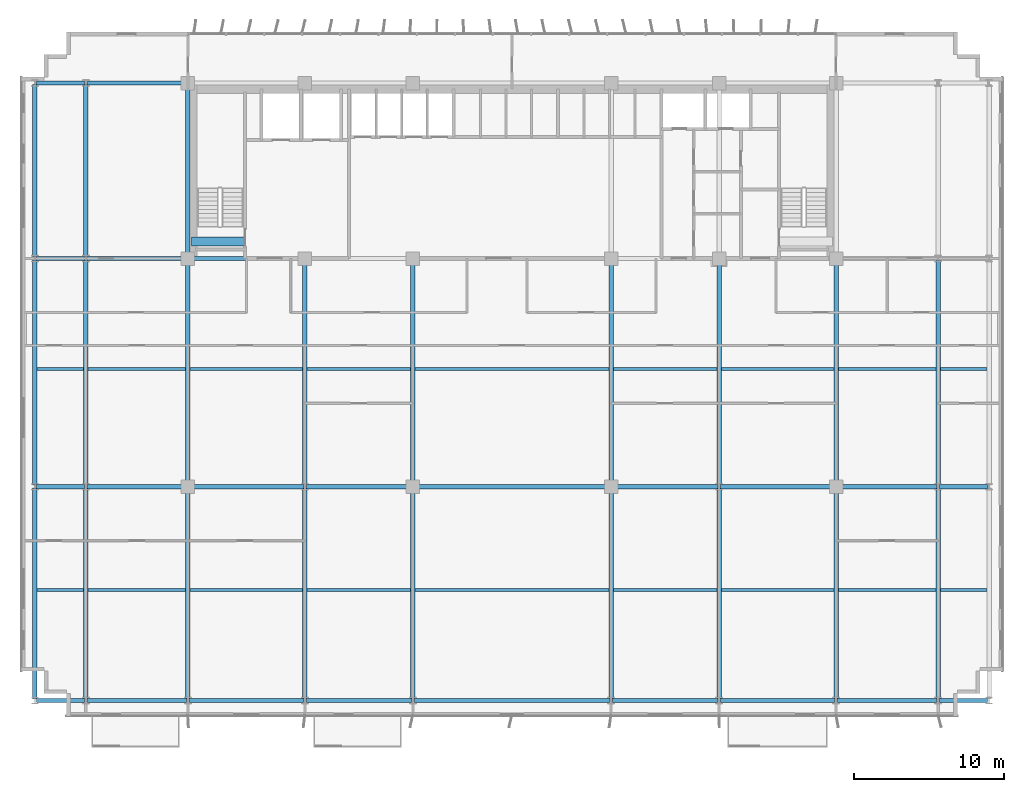
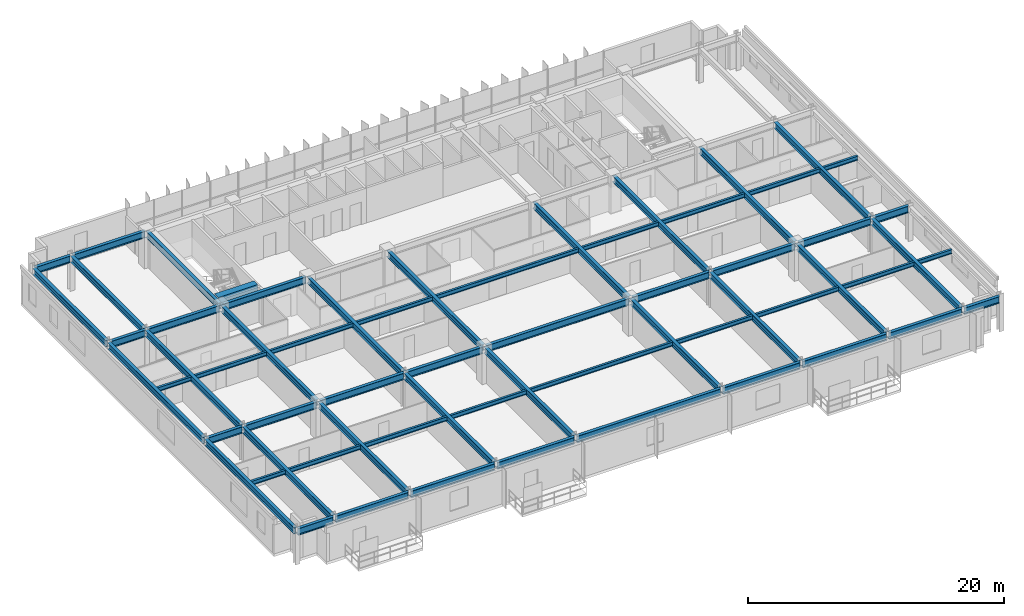
# One storey, part 4 of 21: 63 beams.
"""IFC4 building model written with IfcOpenShell, lengths in metres."""

from ifc_helpers import new_model, si_unit, direction, frame, origin, origin_2d, place, context, subcontext, project, spatial, rectangle, i_section, extrude, source, transform, mapped, material, material_profile, profile_set, type_object, element, save


model = new_model("IFC4")

# Units and contexts
model_context = context("Model", 3, precision=1e-05, world=origin(), true_north=direction((0.0, 1.0)))
body_context = subcontext(model_context, "Body", "Model", "MODEL_VIEW")
ifc_project = project(units=[si_unit("LENGTHUNIT", "METRE"), si_unit("AREAUNIT", "SQUARE_METRE"), si_unit("VOLUMEUNIT", "CUBIC_METRE"), si_unit("PLANEANGLEUNIT", "RADIAN"), si_unit("MASSUNIT", "GRAM", prefix="KILO")], contexts=[model_context])

# Site, building, storey
site_placement = place(None, origin())
site = spatial("IfcSite", under=ifc_project, at=site_placement, CompositionType="ELEMENT")
building_placement = place(site_placement, origin())
building = spatial("IfcBuilding", under=site, at=building_placement, Name="Trelvane Seafront Commons", CompositionType="ELEMENT")
storey_placement = place(building_placement, frame((0.0, 0.0, 34.300048828125)))
storey = spatial("IfcBuildingStorey", under=building, at=storey_placement, Name="L08", CompositionType="ELEMENT", Elevation=34.300048828125)

# Beams
ifc_material_1 = material(Name="Concrete C60/75", Category="concrete")
ifc_material_profile_1 = material_profile(ifc_material_1, rectangle(XDim=0.60009765625, YDim=0.89990234375, at=origin_2d()), Name="RC-600x900")
ifc_profile_set_1 = profile_set([ifc_material_profile_1], Name="Concrete C60/75")
beam_type_1 = type_object("IfcBeamType", Name="STR-LNT-RC600x900", PredefinedType="LINTEL", material=ifc_profile_set_1)
shared_shape_1 = source(origin(), body_context, "Body", "SweptSolid", [
    extrude(rectangle(XDim=0.60009765625, YDim=0.89990234375, at=origin_2d()), origin(), (0.0, 0.0, 1.0), 3.5498046875),
])
beam_1_placement = place(storey_placement, frame((15.85009765625, 34.550048828125, 2.889892578125), z_axis=(1.0, 0.0, 0.0), x_axis=(0.0, 1.0, 0.0)))
element("IfcBeam", 1, at=beam_1_placement, inside=storey, type_object=beam_type_1, Name="L08 Core Coupling Lintel Beam CB-85", PredefinedType="LINTEL", context=body_context, shape_type="MappedRepresentation", body=[
    mapped(shared_shape_1, transform((0.0, 0.0, 0.0), x_axis=(1.0, 0.0, 0.0), y_axis=(0.0, 1.0, 0.0), z_axis=(0.0, 0.0, 1.0), scale=1.0)),
])
ifc_material_2 = material(Name="Steel SM355 (S355)", Category="steel")
ifc_material_profile_2 = material_profile(ifc_material_2, i_section(OverallWidth=0.280029296875, OverallDepth=0.64990234375, WebThickness=0.012939453125, FlangeThickness=0.02197265625, at=origin_2d()), Name="H-650x280x13x22")
ifc_profile_set_2 = profile_set([ifc_material_profile_2], Name="Steel SM355 (S355)")
beam_type_2 = type_object("IfcBeamType", Name="STR-BM-H650", PredefinedType="BEAM", material=ifc_profile_set_2)
shared_shape_2 = source(origin(), body_context, "Body", "SweptSolid", [
    extrude(i_section(OverallWidth=0.280029296875, OverallDepth=0.64990234375, WebThickness=0.012939453125, FlangeThickness=0.02197265625, at=origin_2d()), origin(), (0.0, 0.0, 1.0), 3.190185546875),
])
for number, where, z_axis, x_axis, name in (
    (2, (5.5048828125, 3.949951171875, 3.014892578125), (1.0, 0.0, 0.0), (0.0, 1.0, 0.0), "L08 Primary Girder G-01"),
    (3, (5.5048828125, 18.199951171875, 3.014892578125), (1.0, 0.0, 0.0), (0.0, 1.0, 0.0), "L08 Primary Girder G-10"),
    (4, (5.5048828125, 33.39990234375, 3.014892578125), (1.0, 0.0, 0.0), (0.0, 1.0, 0.0), "L08 Primary Girder G-19"),
    (5, (5.5048828125, 45.10009765625, 3.014892578125), (1.0, 0.0, 0.0), (0.0, 1.0, 0.0), "L08 Primary Girder G-28"),
):
    element("IfcBeam", number, at=place(storey_placement, frame(where, z_axis=z_axis, x_axis=x_axis)), inside=storey, type_object=beam_type_2, Name=name, PredefinedType="BEAM", context=body_context, shape_type="MappedRepresentation", body=[
        mapped(shared_shape_2, transform((0.0, 0.0, 0.0), x_axis=(1.0, 0.0, 0.0), y_axis=(0.0, 1.0, 0.0), z_axis=(0.0, 0.0, 1.0), scale=1.0)),
    ])
shared_shape_3 = source(origin(), body_context, "Body", "SweptSolid", [
    extrude(i_section(OverallWidth=0.280029296875, OverallDepth=0.64990234375, WebThickness=0.012939453125, FlangeThickness=0.02197265625, at=origin_2d()), origin(), (0.0, 0.0, 1.0), 6.590087890625),
])
for number, where, z_axis, x_axis, name in (
    (6, (8.905029296875, 3.949951171875, 3.014892578125), (1.0, 0.0, 0.0), (0.0, 1.0, 0.0), "L08 Primary Girder G-02"),
    (7, (58.905029296875, 3.949951171875, 3.014892578125), (1.0, 0.0, 0.0), (0.0, 1.0, 0.0), "L08 Primary Girder G-08"),
):
    element("IfcBeam", number, at=place(storey_placement, frame(where, z_axis=z_axis, x_axis=x_axis)), inside=storey, type_object=beam_type_2, Name=name, PredefinedType="BEAM", context=body_context, shape_type="MappedRepresentation", body=[
        mapped(shared_shape_3, transform((0.0, 0.0, 0.0), x_axis=(1.0, 0.0, 0.0), y_axis=(0.0, 1.0, 0.0), z_axis=(0.0, 0.0, 1.0), scale=1.0)),
    ])
shared_shape_4 = source(origin(), body_context, "Body", "SweptSolid", [
    extrude(i_section(OverallWidth=0.280029296875, OverallDepth=0.64990234375, WebThickness=0.012939453125, FlangeThickness=0.02197265625, at=origin_2d()), origin(), (0.0, 0.0, 1.0), 7.58984375),
])
beam_2_placement = place(storey_placement, frame((15.705078125, 3.949951171875, 3.014892578125), z_axis=(1.0, 0.0, 0.0), x_axis=(0.0, 1.0, 0.0)))
element("IfcBeam", 8, at=beam_2_placement, inside=storey, type_object=beam_type_2, Name="L08 Primary Girder G-03", PredefinedType="BEAM", context=body_context, shape_type="MappedRepresentation", body=[
    mapped(shared_shape_4, transform((0.0, 0.0, 0.0), x_axis=(1.0, 0.0, 0.0), y_axis=(0.0, 1.0, 0.0), z_axis=(0.0, 0.0, 1.0), scale=1.0)),
])
shared_shape_5 = source(origin(), body_context, "Body", "SweptSolid", [
    extrude(i_section(OverallWidth=0.280029296875, OverallDepth=0.64990234375, WebThickness=0.012939453125, FlangeThickness=0.02197265625, at=origin_2d()), origin(), (0.0, 0.0, 1.0), 6.990234375),
])
beam_3_placement = place(storey_placement, frame((23.5048828125, 3.949951171875, 3.014892578125), z_axis=(1.0, 0.0, 0.0), x_axis=(0.0, 1.0, 0.0)))
element("IfcBeam", 9, at=beam_3_placement, inside=storey, type_object=beam_type_2, Name="L08 Primary Girder G-04", PredefinedType="BEAM", context=body_context, shape_type="MappedRepresentation", body=[
    mapped(shared_shape_5, transform((0.0, 0.0, 0.0), x_axis=(1.0, 0.0, 0.0), y_axis=(0.0, 1.0, 0.0), z_axis=(0.0, 0.0, 1.0), scale=1.0)),
])
shared_shape_6 = source(origin(), body_context, "Body", "SweptSolid", [
    extrude(i_section(OverallWidth=0.280029296875, OverallDepth=0.64990234375, WebThickness=0.012939453125, FlangeThickness=0.02197265625, at=origin_2d()), origin(), (0.0, 0.0, 1.0), 12.989990234375),
])
beam_4_placement = place(storey_placement, frame((30.705078125, 3.949951171875, 3.014892578125), z_axis=(1.0, 0.0, 0.0), x_axis=(0.0, 1.0, 0.0)))
element("IfcBeam", 10, at=beam_4_placement, inside=storey, type_object=beam_type_2, Name="L08 Primary Girder G-05", PredefinedType="BEAM", context=body_context, shape_type="MappedRepresentation", body=[
    mapped(shared_shape_6, transform((0.0, 0.0, 0.0), x_axis=(1.0, 0.0, 0.0), y_axis=(0.0, 1.0, 0.0), z_axis=(0.0, 0.0, 1.0), scale=1.0)),
])
shared_shape_7 = source(origin(), body_context, "Body", "SweptSolid", [
    extrude(i_section(OverallWidth=0.280029296875, OverallDepth=0.64990234375, WebThickness=0.012939453125, FlangeThickness=0.02197265625, at=origin_2d()), origin(), (0.0, 0.0, 1.0), 6.989990234375),
])
beam_5_placement = place(storey_placement, frame((43.905029296875, 3.949951171875, 3.014892578125), z_axis=(1.0, 0.0, 0.0), x_axis=(0.0, 1.0, 0.0)))
element("IfcBeam", 11, at=beam_5_placement, inside=storey, type_object=beam_type_2, Name="L08 Primary Girder G-06", PredefinedType="BEAM", context=body_context, shape_type="MappedRepresentation", body=[
    mapped(shared_shape_7, transform((0.0, 0.0, 0.0), x_axis=(1.0, 0.0, 0.0), y_axis=(0.0, 1.0, 0.0), z_axis=(0.0, 0.0, 1.0), scale=1.0)),
])
shared_shape_8 = source(origin(), body_context, "Body", "SweptSolid", [
    extrude(i_section(OverallWidth=0.280029296875, OverallDepth=0.64990234375, WebThickness=0.012939453125, FlangeThickness=0.02197265625, at=origin_2d()), origin(), (0.0, 0.0, 1.0), 7.590087890625),
])
beam_6_placement = place(storey_placement, frame((51.10498046875, 3.949951171875, 3.014892578125), z_axis=(1.0, 0.0, 0.0), x_axis=(0.0, 1.0, 0.0)))
element("IfcBeam", 12, at=beam_6_placement, inside=storey, type_object=beam_type_2, Name="L08 Primary Girder G-07", PredefinedType="BEAM", context=body_context, shape_type="MappedRepresentation", body=[
    mapped(shared_shape_8, transform((0.0, 0.0, 0.0), x_axis=(1.0, 0.0, 0.0), y_axis=(0.0, 1.0, 0.0), z_axis=(0.0, 0.0, 1.0), scale=1.0)),
])
shared_shape_9 = source(origin(), body_context, "Body", "SweptSolid", [
    extrude(i_section(OverallWidth=0.280029296875, OverallDepth=0.64990234375, WebThickness=0.012939453125, FlangeThickness=0.02197265625, at=origin_2d()), origin(), (0.0, 0.0, 1.0), 3.18994140625),
])
for number, where, z_axis, x_axis, name in (
    (13, (65.705078125, 3.949951171875, 3.014892578125), (1.0, 0.0, 0.0), (0.0, 1.0, 0.0), "L08 Primary Girder G-09"),
    (14, (65.705078125, 18.199951171875, 3.014892578125), (1.0, 0.0, 0.0), (0.0, 1.0, 0.0), "L08 Primary Girder G-18"),
):
    element("IfcBeam", number, at=place(storey_placement, frame(where, z_axis=z_axis, x_axis=x_axis)), inside=storey, type_object=beam_type_2, Name=name, PredefinedType="BEAM", context=body_context, shape_type="MappedRepresentation", body=[
        mapped(shared_shape_9, transform((0.0, 0.0, 0.0), x_axis=(1.0, 0.0, 0.0), y_axis=(0.0, 1.0, 0.0), z_axis=(0.0, 0.0, 1.0), scale=1.0)),
    ])
shared_shape_10 = source(origin(), body_context, "Body", "SweptSolid", [
    extrude(i_section(OverallWidth=0.280029296875, OverallDepth=0.64990234375, WebThickness=0.012939453125, FlangeThickness=0.02197265625, at=origin_2d()), origin(), (0.0, 0.0, 1.0), 6.544921875),
])
for number, where, z_axis, x_axis, name in (
    (15, (8.905029296875, 18.199951171875, 3.014892578125), (1.0, 0.0, 0.0), (0.0, 1.0, 0.0), "L08 Primary Girder G-11"),
    (16, (8.905029296875, 33.39990234375, 3.014892578125), (1.0, 0.0, 0.0), (0.0, 1.0, 0.0), "L08 Primary Girder G-20"),
    (17, (8.905029296875, 45.10009765625, 3.014892578125), (1.0, 0.0, 0.0), (0.0, 1.0, 0.0), "L08 Primary Girder G-29"),
):
    element("IfcBeam", number, at=place(storey_placement, frame(where, z_axis=z_axis, x_axis=x_axis)), inside=storey, type_object=beam_type_2, Name=name, PredefinedType="BEAM", context=body_context, shape_type="MappedRepresentation", body=[
        mapped(shared_shape_10, transform((0.0, 0.0, 0.0), x_axis=(1.0, 0.0, 0.0), y_axis=(0.0, 1.0, 0.0), z_axis=(0.0, 0.0, 1.0), scale=1.0)),
    ])
shared_shape_11 = source(origin(), body_context, "Body", "SweptSolid", [
    extrude(i_section(OverallWidth=0.280029296875, OverallDepth=0.64990234375, WebThickness=0.012939453125, FlangeThickness=0.02197265625, at=origin_2d()), origin(), (0.0, 0.0, 1.0), 7.544921875),
])
for number, where, z_axis, x_axis, name in (
    (18, (15.75, 18.199951171875, 3.014892578125), (1.0, 0.0, 0.0), (0.0, 1.0, 0.0), "L08 Primary Girder G-12"),
    (19, (51.10498046875, 18.199951171875, 3.014892578125), (1.0, 0.0, 0.0), (0.0, 1.0, 0.0), "L08 Primary Girder G-16"),
):
    element("IfcBeam", number, at=place(storey_placement, frame(where, z_axis=z_axis, x_axis=x_axis)), inside=storey, type_object=beam_type_2, Name=name, PredefinedType="BEAM", context=body_context, shape_type="MappedRepresentation", body=[
        mapped(shared_shape_11, transform((0.0, 0.0, 0.0), x_axis=(1.0, 0.0, 0.0), y_axis=(0.0, 1.0, 0.0), z_axis=(0.0, 0.0, 1.0), scale=1.0)),
    ])
shared_shape_12 = source(origin(), body_context, "Body", "SweptSolid", [
    extrude(i_section(OverallWidth=0.280029296875, OverallDepth=0.64990234375, WebThickness=0.012939453125, FlangeThickness=0.02197265625, at=origin_2d()), origin(), (0.0, 0.0, 1.0), 6.945068359375),
])
for number, where, z_axis, x_axis, name in (
    (20, (23.5048828125, 18.199951171875, 3.014892578125), (1.0, 0.0, 0.0), (0.0, 1.0, 0.0), "L08 Primary Girder G-13"),
    (21, (43.949951171875, 18.199951171875, 3.014892578125), (1.0, 0.0, 0.0), (0.0, 1.0, 0.0), "L08 Primary Girder G-15"),
):
    element("IfcBeam", number, at=place(storey_placement, frame(where, z_axis=z_axis, x_axis=x_axis)), inside=storey, type_object=beam_type_2, Name=name, PredefinedType="BEAM", context=body_context, shape_type="MappedRepresentation", body=[
        mapped(shared_shape_12, transform((0.0, 0.0, 0.0), x_axis=(1.0, 0.0, 0.0), y_axis=(0.0, 1.0, 0.0), z_axis=(0.0, 0.0, 1.0), scale=1.0)),
    ])
shared_shape_13 = source(origin(), body_context, "Body", "SweptSolid", [
    extrude(i_section(OverallWidth=0.280029296875, OverallDepth=0.64990234375, WebThickness=0.012939453125, FlangeThickness=0.02197265625, at=origin_2d()), origin(), (0.0, 0.0, 1.0), 12.89990234375),
])
beam_7_placement = place(storey_placement, frame((30.75, 18.199951171875, 3.014892578125), z_axis=(1.0, 0.0, 0.0), x_axis=(0.0, 1.0, 0.0)))
element("IfcBeam", 22, at=beam_7_placement, inside=storey, type_object=beam_type_2, Name="L08 Primary Girder G-14", PredefinedType="BEAM", context=body_context, shape_type="MappedRepresentation", body=[
    mapped(shared_shape_13, transform((0.0, 0.0, 0.0), x_axis=(1.0, 0.0, 0.0), y_axis=(0.0, 1.0, 0.0), z_axis=(0.0, 0.0, 1.0), scale=1.0)),
])
shared_shape_14 = source(origin(), body_context, "Body", "SweptSolid", [
    extrude(i_section(OverallWidth=0.280029296875, OverallDepth=0.64990234375, WebThickness=0.012939453125, FlangeThickness=0.02197265625, at=origin_2d()), origin(), (0.0, 0.0, 1.0), 6.545166015625),
])
beam_8_placement = place(storey_placement, frame((58.949951171875, 18.199951171875, 3.014892578125), z_axis=(1.0, 0.0, 0.0), x_axis=(0.0, 1.0, 0.0)))
element("IfcBeam", 23, at=beam_8_placement, inside=storey, type_object=beam_type_2, Name="L08 Primary Girder G-17", PredefinedType="BEAM", context=body_context, shape_type="MappedRepresentation", body=[
    mapped(shared_shape_14, transform((0.0, 0.0, 0.0), x_axis=(1.0, 0.0, 0.0), y_axis=(0.0, 1.0, 0.0), z_axis=(0.0, 0.0, 1.0), scale=1.0)),
])
shared_shape_15 = source(origin(), body_context, "Body", "SweptSolid", [
    extrude(i_section(OverallWidth=0.280029296875, OverallDepth=0.64990234375, WebThickness=0.012939453125, FlangeThickness=0.02197265625, at=origin_2d()), origin(), (0.0, 0.0, 1.0), 7.5),
])
beam_9_placement = place(storey_placement, frame((15.75, 33.39990234375, 3.014892578125), z_axis=(1.0, 0.0, 0.0), x_axis=(0.0, 1.0, 0.0)))
element("IfcBeam", 24, at=beam_9_placement, inside=storey, type_object=beam_type_2, Name="L08 Primary Girder G-21", PredefinedType="BEAM", context=body_context, shape_type="MappedRepresentation", body=[
    mapped(shared_shape_15, transform((0.0, 0.0, 0.0), x_axis=(1.0, 0.0, 0.0), y_axis=(0.0, 1.0, 0.0), z_axis=(0.0, 0.0, 1.0), scale=1.0)),
])
ifc_material_profile_3 = material_profile(ifc_material_2, i_section(OverallWidth=0.300048828125, OverallDepth=0.587890625, WebThickness=0.011962890625, FlangeThickness=0.02001953125, at=origin_2d()), Name="H-588x300x12x20")
ifc_profile_set_3 = profile_set([ifc_material_profile_3], Name="Steel SM355 (S355)")
beam_type_3 = type_object("IfcBeamType", Name="STR-BM-H588", PredefinedType="BEAM", material=ifc_profile_set_3)
shared_shape_16 = source(origin(), body_context, "Body", "SweptSolid", [
    extrude(i_section(OverallWidth=0.300048828125, OverallDepth=0.587890625, WebThickness=0.011962890625, FlangeThickness=0.02001953125, at=origin_2d()), origin(), (0.0, 0.0, 1.0), 14.0400390625),
])
for number, where, z_axis, x_axis, name in (
    (25, (5.39990234375, 4.054931640625, 3.0458984375), (0.0, 1.0, 0.0), (-1.0, 0.0, 0.0), "L08 Primary Girder G-37"),
    (26, (8.800048828125, 4.054931640625, 3.0458984375), (0.0, 1.0, 0.0), (-1.0, 0.0, 0.0), "L08 Primary Girder G-40"),
    (27, (23.39990234375, 4.054931640625, 3.0458984375), (0.0, 1.0, 0.0), (-1.0, 0.0, 0.0), "L08 Primary Girder G-46"),
    (28, (51.0, 4.054931640625, 3.0458984375), (0.0, 1.0, 0.0), (-1.0, 0.0, 0.0), "L08 Primary Girder G-55"),
    (29, (65.60009765625, 4.054931640625, 3.0458984375), (0.0, 1.0, 0.0), (-1.0, 0.0, 0.0), "L08 Primary Girder G-61"),
):
    element("IfcBeam", number, at=place(storey_placement, frame(where, z_axis=z_axis, x_axis=x_axis)), inside=storey, type_object=beam_type_3, Name=name, PredefinedType="BEAM", context=body_context, shape_type="MappedRepresentation", body=[
        mapped(shared_shape_16, transform((0.0, 0.0, 0.0), x_axis=(1.0, 0.0, 0.0), y_axis=(0.0, 1.0, 0.0), z_axis=(0.0, 0.0, 1.0), scale=1.0)),
    ])
shared_shape_17 = source(origin(), body_context, "Body", "SweptSolid", [
    extrude(i_section(OverallWidth=0.300048828125, OverallDepth=0.587890625, WebThickness=0.011962890625, FlangeThickness=0.02001953125, at=origin_2d()), origin(), (0.0, 0.0, 1.0), 14.989990234375),
])
for number, where, z_axis, x_axis, name in (
    (30, (5.39990234375, 18.304931640625, 3.0458984375), (0.0, 1.0, 0.0), (-1.0, 0.0, 0.0), "L08 Primary Girder G-38"),
    (31, (8.800048828125, 18.304931640625, 3.0458984375), (0.0, 1.0, 0.0), (-1.0, 0.0, 0.0), "L08 Primary Girder G-41"),
    (32, (65.60009765625, 18.304931640625, 3.0458984375), (0.0, 1.0, 0.0), (-1.0, 0.0, 0.0), "L08 Primary Girder G-62"),
):
    element("IfcBeam", number, at=place(storey_placement, frame(where, z_axis=z_axis, x_axis=x_axis)), inside=storey, type_object=beam_type_3, Name=name, PredefinedType="BEAM", context=body_context, shape_type="MappedRepresentation", body=[
        mapped(shared_shape_17, transform((0.0, 0.0, 0.0), x_axis=(1.0, 0.0, 0.0), y_axis=(0.0, 1.0, 0.0), z_axis=(0.0, 0.0, 1.0), scale=1.0)),
    ])
shared_shape_18 = source(origin(), body_context, "Body", "SweptSolid", [
    extrude(i_section(OverallWidth=0.300048828125, OverallDepth=0.587890625, WebThickness=0.011962890625, FlangeThickness=0.02001953125, at=origin_2d()), origin(), (0.0, 0.0, 1.0), 11.490234375),
])
for number, where, z_axis, x_axis, name in (
    (33, (5.39990234375, 33.5048828125, 3.0458984375), (0.0, 1.0, 0.0), (-1.0, 0.0, 0.0), "L08 Primary Girder G-39"),
    (34, (8.800048828125, 33.5048828125, 3.0458984375), (0.0, 1.0, 0.0), (-1.0, 0.0, 0.0), "L08 Primary Girder G-42"),
):
    element("IfcBeam", number, at=place(storey_placement, frame(where, z_axis=z_axis, x_axis=x_axis)), inside=storey, type_object=beam_type_3, Name=name, PredefinedType="BEAM", context=body_context, shape_type="MappedRepresentation", body=[
        mapped(shared_shape_18, transform((0.0, 0.0, 0.0), x_axis=(1.0, 0.0, 0.0), y_axis=(0.0, 1.0, 0.0), z_axis=(0.0, 0.0, 1.0), scale=1.0)),
    ])
shared_shape_19 = source(origin(), body_context, "Body", "SweptSolid", [
    extrude(i_section(OverallWidth=0.300048828125, OverallDepth=0.587890625, WebThickness=0.011962890625, FlangeThickness=0.02001953125, at=origin_2d()), origin(), (0.0, 0.0, 1.0), 13.9951171875),
])
for number, where, z_axis, x_axis, name in (
    (35, (15.60009765625, 4.054931640625, 3.0458984375), (0.0, 1.0, 0.0), (-1.0, 0.0, 0.0), "L08 Primary Girder G-43"),
    (36, (30.60009765625, 4.054931640625, 3.0458984375), (0.0, 1.0, 0.0), (-1.0, 0.0, 0.0), "L08 Primary Girder G-49"),
    (37, (43.800048828125, 4.054931640625, 3.0458984375), (0.0, 1.0, 0.0), (-1.0, 0.0, 0.0), "L08 Primary Girder G-52"),
    (38, (58.800048828125, 4.054931640625, 3.0458984375), (0.0, 1.0, 0.0), (-1.0, 0.0, 0.0), "L08 Primary Girder G-58"),
):
    element("IfcBeam", number, at=place(storey_placement, frame(where, z_axis=z_axis, x_axis=x_axis)), inside=storey, type_object=beam_type_3, Name=name, PredefinedType="BEAM", context=body_context, shape_type="MappedRepresentation", body=[
        mapped(shared_shape_19, transform((0.0, 0.0, 0.0), x_axis=(1.0, 0.0, 0.0), y_axis=(0.0, 1.0, 0.0), z_axis=(0.0, 0.0, 1.0), scale=1.0)),
    ])
shared_shape_20 = source(origin(), body_context, "Body", "SweptSolid", [
    extrude(i_section(OverallWidth=0.300048828125, OverallDepth=0.587890625, WebThickness=0.011962890625, FlangeThickness=0.02001953125, at=origin_2d()), origin(), (0.0, 0.0, 1.0), 14.89990234375),
])
for number, where, z_axis, x_axis, name in (
    (39, (15.60009765625, 18.35009765625, 3.0458984375), (0.0, 1.0, 0.0), (-1.0, 0.0, 0.0), "L08 Primary Girder G-44"),
    (40, (30.60009765625, 18.35009765625, 3.0458984375), (0.0, 1.0, 0.0), (-1.0, 0.0, 0.0), "L08 Primary Girder G-50"),
    (41, (43.800048828125, 18.35009765625, 3.0458984375), (0.0, 1.0, 0.0), (-1.0, 0.0, 0.0), "L08 Primary Girder G-53"),
    (42, (58.800048828125, 18.35009765625, 3.0458984375), (0.0, 1.0, 0.0), (-1.0, 0.0, 0.0), "L08 Primary Girder G-59"),
):
    element("IfcBeam", number, at=place(storey_placement, frame(where, z_axis=z_axis, x_axis=x_axis)), inside=storey, type_object=beam_type_3, Name=name, PredefinedType="BEAM", context=body_context, shape_type="MappedRepresentation", body=[
        mapped(shared_shape_20, transform((0.0, 0.0, 0.0), x_axis=(1.0, 0.0, 0.0), y_axis=(0.0, 1.0, 0.0), z_axis=(0.0, 0.0, 1.0), scale=1.0)),
    ])
shared_shape_21 = source(origin(), body_context, "Body", "SweptSolid", [
    extrude(i_section(OverallWidth=0.300048828125, OverallDepth=0.587890625, WebThickness=0.011962890625, FlangeThickness=0.02001953125, at=origin_2d()), origin(), (0.0, 0.0, 1.0), 11.39990234375),
])
beam_10_placement = place(storey_placement, frame((15.60009765625, 33.550048828125, 3.0458984375), z_axis=(0.0, 1.0, 0.0), x_axis=(-1.0, 0.0, 0.0)))
element("IfcBeam", 43, at=beam_10_placement, inside=storey, type_object=beam_type_3, Name="L08 Primary Girder G-45", PredefinedType="BEAM", context=body_context, shape_type="MappedRepresentation", body=[
    mapped(shared_shape_21, transform((0.0, 0.0, 0.0), x_axis=(1.0, 0.0, 0.0), y_axis=(0.0, 1.0, 0.0), z_axis=(0.0, 0.0, 1.0), scale=1.0)),
])
shared_shape_22 = source(origin(), body_context, "Body", "SweptSolid", [
    extrude(i_section(OverallWidth=0.300048828125, OverallDepth=0.587890625, WebThickness=0.011962890625, FlangeThickness=0.02001953125, at=origin_2d()), origin(), (0.0, 0.0, 1.0), 14.945068359375),
])
for number, where, z_axis, x_axis, name in (
    (44, (23.39990234375, 18.304931640625, 3.0458984375), (0.0, 1.0, 0.0), (-1.0, 0.0, 0.0), "L08 Primary Girder G-47"),
    (45, (51.0, 18.304931640625, 3.0458984375), (0.0, 1.0, 0.0), (-1.0, 0.0, 0.0), "L08 Primary Girder G-56"),
):
    element("IfcBeam", number, at=place(storey_placement, frame(where, z_axis=z_axis, x_axis=x_axis)), inside=storey, type_object=beam_type_3, Name=name, PredefinedType="BEAM", context=body_context, shape_type="MappedRepresentation", body=[
        mapped(shared_shape_22, transform((0.0, 0.0, 0.0), x_axis=(1.0, 0.0, 0.0), y_axis=(0.0, 1.0, 0.0), z_axis=(0.0, 0.0, 1.0), scale=1.0)),
    ])
ifc_material_profile_4 = material_profile(ifc_material_2, i_section(OverallWidth=0.199951171875, OverallDepth=0.39990234375, WebThickness=0.008056640625, FlangeThickness=0.012939453125, at=origin_2d()), Name="H-400x200x8x13")
ifc_profile_set_4 = profile_set([ifc_material_profile_4], Name="Steel SM355 (S355)")
beam_type_4 = type_object("IfcBeamType", Name="STR-JST-H400", PredefinedType="JOIST", material=ifc_profile_set_4)
shared_shape_23 = source(origin(), body_context, "Body", "SweptSolid", [
    extrude(i_section(OverallWidth=0.199951171875, OverallDepth=0.39990234375, WebThickness=0.008056640625, FlangeThickness=0.012939453125, at=origin_2d()), origin(), (0.0, 0.0, 1.0), 3.099853515625),
])
for number, where, z_axis, x_axis, name in (
    (46, (5.550048828125, 11.324951171875, 3.139892578125), (1.0, 0.0, 0.0), (0.0, 1.0, 0.0), "L08 Secondary Floor Joist B-67"),
    (47, (5.550048828125, 26.050048828125, 3.139892578125), (1.0, 0.0, 0.0), (0.0, 1.0, 0.0), "L08 Secondary Floor Joist B-76"),
):
    element("IfcBeam", number, at=place(storey_placement, frame(where, z_axis=z_axis, x_axis=x_axis)), inside=storey, type_object=beam_type_4, Name=name, PredefinedType="JOIST", context=body_context, shape_type="MappedRepresentation", body=[
        mapped(shared_shape_23, transform((0.0, 0.0, 0.0), x_axis=(1.0, 0.0, 0.0), y_axis=(0.0, 1.0, 0.0), z_axis=(0.0, 0.0, 1.0), scale=1.0)),
    ])
shared_shape_24 = source(origin(), body_context, "Body", "SweptSolid", [
    extrude(i_section(OverallWidth=0.199951171875, OverallDepth=0.39990234375, WebThickness=0.008056640625, FlangeThickness=0.012939453125, at=origin_2d()), origin(), (0.0, 0.0, 1.0), 6.5),
])
for number, where, z_axis, x_axis, name in (
    (48, (8.949951171875, 11.324951171875, 3.139892578125), (1.0, 0.0, 0.0), (0.0, 1.0, 0.0), "L08 Secondary Floor Joist B-68"),
    (49, (58.949951171875, 11.324951171875, 3.139892578125), (1.0, 0.0, 0.0), (0.0, 1.0, 0.0), "L08 Secondary Floor Joist B-74"),
    (50, (8.949951171875, 26.050048828125, 3.139892578125), (1.0, 0.0, 0.0), (0.0, 1.0, 0.0), "L08 Secondary Floor Joist B-77"),
    (51, (58.949951171875, 26.050048828125, 3.139892578125), (1.0, 0.0, 0.0), (0.0, 1.0, 0.0), "L08 Secondary Floor Joist B-83"),
):
    element("IfcBeam", number, at=place(storey_placement, frame(where, z_axis=z_axis, x_axis=x_axis)), inside=storey, type_object=beam_type_4, Name=name, PredefinedType="JOIST", context=body_context, shape_type="MappedRepresentation", body=[
        mapped(shared_shape_24, transform((0.0, 0.0, 0.0), x_axis=(1.0, 0.0, 0.0), y_axis=(0.0, 1.0, 0.0), z_axis=(0.0, 0.0, 1.0), scale=1.0)),
    ])
shared_shape_25 = source(origin(), body_context, "Body", "SweptSolid", [
    extrude(i_section(OverallWidth=0.199951171875, OverallDepth=0.39990234375, WebThickness=0.008056640625, FlangeThickness=0.012939453125, at=origin_2d()), origin(), (0.0, 0.0, 1.0), 7.5),
])
for number, where, z_axis, x_axis, name in (
    (52, (15.75, 11.324951171875, 3.139892578125), (1.0, 0.0, 0.0), (0.0, 1.0, 0.0), "L08 Secondary Floor Joist B-69"),
    (53, (51.14990234375, 11.324951171875, 3.139892578125), (1.0, 0.0, 0.0), (0.0, 1.0, 0.0), "L08 Secondary Floor Joist B-73"),
    (54, (15.75, 26.050048828125, 3.139892578125), (1.0, 0.0, 0.0), (0.0, 1.0, 0.0), "L08 Secondary Floor Joist B-78"),
    (55, (51.14990234375, 26.050048828125, 3.139892578125), (1.0, 0.0, 0.0), (0.0, 1.0, 0.0), "L08 Secondary Floor Joist B-82"),
):
    element("IfcBeam", number, at=place(storey_placement, frame(where, z_axis=z_axis, x_axis=x_axis)), inside=storey, type_object=beam_type_4, Name=name, PredefinedType="JOIST", context=body_context, shape_type="MappedRepresentation", body=[
        mapped(shared_shape_25, transform((0.0, 0.0, 0.0), x_axis=(1.0, 0.0, 0.0), y_axis=(0.0, 1.0, 0.0), z_axis=(0.0, 0.0, 1.0), scale=1.0)),
    ])
shared_shape_26 = source(origin(), body_context, "Body", "SweptSolid", [
    extrude(i_section(OverallWidth=0.199951171875, OverallDepth=0.39990234375, WebThickness=0.008056640625, FlangeThickness=0.012939453125, at=origin_2d()), origin(), (0.0, 0.0, 1.0), 6.89990234375),
])
for number, where, z_axis, x_axis, name in (
    (56, (23.550048828125, 11.324951171875, 3.139892578125), (1.0, 0.0, 0.0), (0.0, 1.0, 0.0), "L08 Secondary Floor Joist B-70"),
    (57, (23.550048828125, 26.050048828125, 3.139892578125), (1.0, 0.0, 0.0), (0.0, 1.0, 0.0), "L08 Secondary Floor Joist B-79"),
):
    element("IfcBeam", number, at=place(storey_placement, frame(where, z_axis=z_axis, x_axis=x_axis)), inside=storey, type_object=beam_type_4, Name=name, PredefinedType="JOIST", context=body_context, shape_type="MappedRepresentation", body=[
        mapped(shared_shape_26, transform((0.0, 0.0, 0.0), x_axis=(1.0, 0.0, 0.0), y_axis=(0.0, 1.0, 0.0), z_axis=(0.0, 0.0, 1.0), scale=1.0)),
    ])
shared_shape_27 = source(origin(), body_context, "Body", "SweptSolid", [
    extrude(i_section(OverallWidth=0.199951171875, OverallDepth=0.39990234375, WebThickness=0.008056640625, FlangeThickness=0.012939453125, at=origin_2d()), origin(), (0.0, 0.0, 1.0), 12.89990234375),
])
for number, where, z_axis, x_axis, name in (
    (58, (30.75, 11.324951171875, 3.139892578125), (1.0, 0.0, 0.0), (0.0, 1.0, 0.0), "L08 Secondary Floor Joist B-71"),
    (59, (30.75, 26.050048828125, 3.139892578125), (1.0, 0.0, 0.0), (0.0, 1.0, 0.0), "L08 Secondary Floor Joist B-80"),
):
    element("IfcBeam", number, at=place(storey_placement, frame(where, z_axis=z_axis, x_axis=x_axis)), inside=storey, type_object=beam_type_4, Name=name, PredefinedType="JOIST", context=body_context, shape_type="MappedRepresentation", body=[
        mapped(shared_shape_27, transform((0.0, 0.0, 0.0), x_axis=(1.0, 0.0, 0.0), y_axis=(0.0, 1.0, 0.0), z_axis=(0.0, 0.0, 1.0), scale=1.0)),
    ])
shared_shape_28 = source(origin(), body_context, "Body", "SweptSolid", [
    extrude(i_section(OverallWidth=0.199951171875, OverallDepth=0.39990234375, WebThickness=0.008056640625, FlangeThickness=0.012939453125, at=origin_2d()), origin(), (0.0, 0.0, 1.0), 6.900146484375),
])
for number, where, z_axis, x_axis, name in (
    (60, (43.949951171875, 11.324951171875, 3.139892578125), (1.0, 0.0, 0.0), (0.0, 1.0, 0.0), "L08 Secondary Floor Joist B-72"),
    (61, (43.949951171875, 26.050048828125, 3.139892578125), (1.0, 0.0, 0.0), (0.0, 1.0, 0.0), "L08 Secondary Floor Joist B-81"),
):
    element("IfcBeam", number, at=place(storey_placement, frame(where, z_axis=z_axis, x_axis=x_axis)), inside=storey, type_object=beam_type_4, Name=name, PredefinedType="JOIST", context=body_context, shape_type="MappedRepresentation", body=[
        mapped(shared_shape_28, transform((0.0, 0.0, 0.0), x_axis=(1.0, 0.0, 0.0), y_axis=(0.0, 1.0, 0.0), z_axis=(0.0, 0.0, 1.0), scale=1.0)),
    ])
shared_shape_29 = source(origin(), body_context, "Body", "SweptSolid", [
    extrude(i_section(OverallWidth=0.199951171875, OverallDepth=0.39990234375, WebThickness=0.008056640625, FlangeThickness=0.012939453125, at=origin_2d()), origin(), (0.0, 0.0, 1.0), 3.10009765625),
])
for number, where, z_axis, x_axis, name in (
    (62, (65.75, 11.324951171875, 3.139892578125), (1.0, 0.0, 0.0), (0.0, 1.0, 0.0), "L08 Secondary Floor Joist B-75"),
    (63, (65.75, 26.050048828125, 3.139892578125), (1.0, 0.0, 0.0), (0.0, 1.0, 0.0), "L08 Secondary Floor Joist B-84"),
):
    element("IfcBeam", number, at=place(storey_placement, frame(where, z_axis=z_axis, x_axis=x_axis)), inside=storey, type_object=beam_type_4, Name=name, PredefinedType="JOIST", context=body_context, shape_type="MappedRepresentation", body=[
        mapped(shared_shape_29, transform((0.0, 0.0, 0.0), x_axis=(1.0, 0.0, 0.0), y_axis=(0.0, 1.0, 0.0), z_axis=(0.0, 0.0, 1.0), scale=1.0)),
    ])

save(model, "model.ifc")
